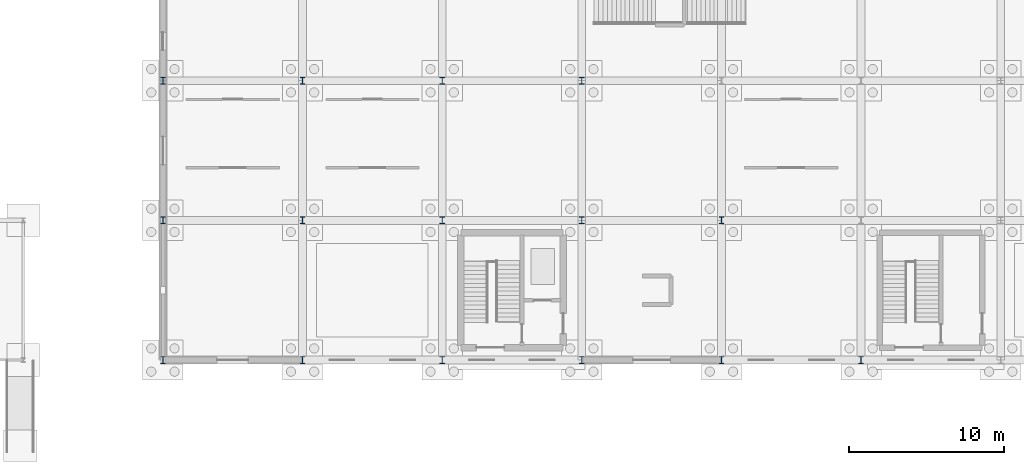
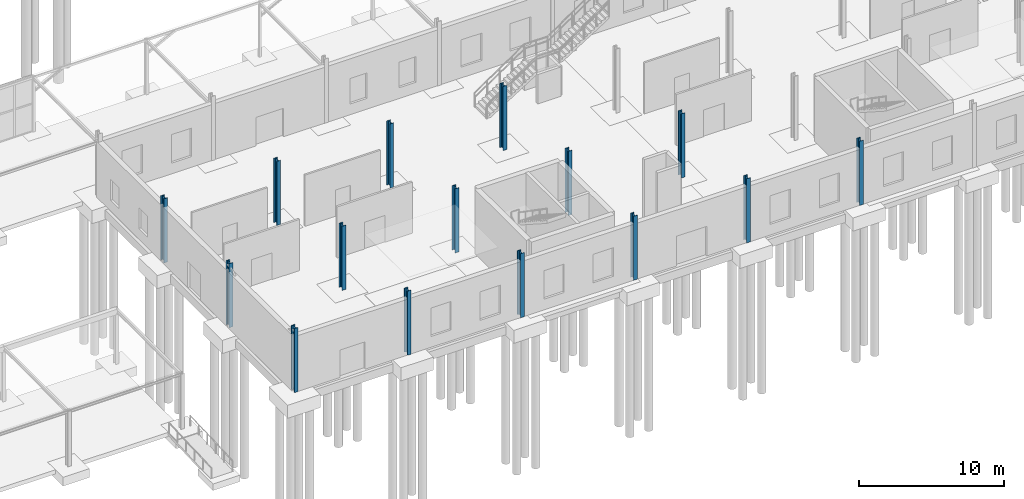
# One storey, part 31 of 118: 15 columns.
"""IFC4 building model written with IfcOpenShell, lengths in metres."""

from ifc_helpers import new_model, si_unit, direction, frame, origin, origin_2d, place, context, subcontext, project, spatial, i_section, extrude, material, material_profile, profile_set, type_object, element, save


model = new_model("IFC4")

# Units and contexts
model_context = context("Model", 3, precision=1e-05, world=origin(), true_north=direction((0.0, 1.0)))
body_context = subcontext(model_context, "Body", "Model", "MODEL_VIEW")
ifc_project = project(units=[si_unit("LENGTHUNIT", "METRE"), si_unit("AREAUNIT", "SQUARE_METRE"), si_unit("VOLUMEUNIT", "CUBIC_METRE"), si_unit("PLANEANGLEUNIT", "RADIAN"), si_unit("MASSUNIT", "GRAM", prefix="KILO")], contexts=[model_context])

# Site, building, storey
site_placement = place(None, origin())
site = spatial("IfcSite", under=ifc_project, at=site_placement, CompositionType="ELEMENT")
building_placement = place(site_placement, origin())
building = spatial("IfcBuilding", under=site, at=building_placement, Name="Kildeholm Park Wholesale Market", CompositionType="ELEMENT")
storey_placement = place(building_placement, origin())
storey = spatial("IfcBuildingStorey", under=building, at=storey_placement, Name="L00", CompositionType="ELEMENT", Elevation=0.0)

# Columns
ifc_material = material(Name="Steel S355", Category="steel")
ifc_material_profile = material_profile(ifc_material, i_section(OverallWidth=0.300048828125, OverallDepth=0.449951171875, WebThickness=0.013916015625, FlangeThickness=0.02587890625, FilletRadius=0.027099609375, at=origin_2d()), Name="HEB 450")
ifc_profile_set = profile_set([ifc_material_profile], Name="Steel S355")
column_type = type_object("IfcColumnType", Name="Column C-S06 HEB 450", PredefinedType="COLUMN", material=ifc_profile_set)
for number, where, z_axis, x_axis, name in (
    (1, (126.0, 0.0, 0.0), (0.0, 0.0, 1.0), (1.0, 0.0, 0.0), "Column V5E-126-000 L00 COL-0760"),
    (2, (126.0, 9.0, 0.0), (0.0, 0.0, 1.0), (1.0, 0.0, 0.0), "Column V5E-126-009 L00 COL-0763"),
    (3, (126.0, 18.0, 0.0), (0.0, 0.0, 1.0), (1.0, 0.0, 0.0), "Column V5E-126-018 L00 COL-0766"),
    (4, (135.0, 0.0, 0.0), (0.0, 0.0, 1.0), (1.0, 0.0, 0.0), "Column V5E-135-000 L00 COL-0771"),
    (5, (135.0, 9.0, 0.0), (0.0, 0.0, 1.0), (1.0, 0.0, 0.0), "Column V5E-135-009 L00 COL-0775"),
    (6, (135.0, 18.0, 0.0), (0.0, 0.0, 1.0), (1.0, 0.0, 0.0), "Column V5E-135-018 L00 COL-0779"),
    (7, (144.0, 0.0, 0.0), (0.0, 0.0, 1.0), (1.0, 0.0, 0.0), "Column V5E-144-000 L00 COL-0785"),
    (8, (144.0, 9.0, 0.0), (0.0, 0.0, 1.0), (1.0, 0.0, 0.0), "Column V5E-144-009 L00 COL-0789"),
    (9, (144.0, 18.0, 0.0), (0.0, 0.0, 1.0), (1.0, 0.0, 0.0), "Column V5E-144-018 L00 COL-0793"),
    (10, (153.0, 0.0, 0.0), (0.0, 0.0, 1.0), (1.0, 0.0, 0.0), "Column V5E-153-000 L00 COL-0799"),
    (11, (153.0, 9.0, 0.0), (0.0, 0.0, 1.0), (1.0, 0.0, 0.0), "Column V5E-153-009 L00 COL-0803"),
    (12, (153.0, 18.0, 0.0), (0.0, 0.0, 1.0), (1.0, 0.0, 0.0), "Column V5E-153-018 L00 COL-0807"),
    (13, (162.0, 0.0, 0.0), (0.0, 0.0, 1.0), (1.0, 0.0, 0.0), "Column V5E-162-000 L00 COL-0813"),
    (14, (162.0, 9.0, 0.0), (0.0, 0.0, 1.0), (1.0, 0.0, 0.0), "Column V5E-162-009 L00 COL-0817"),
    (15, (171.0, 0.0, 0.0), (0.0, 0.0, 1.0), (1.0, 0.0, 0.0), "Column V5E-171-000 L00 COL-0827"),
):
    element("IfcColumn", number, at=place(storey_placement, frame(where, z_axis=z_axis, x_axis=x_axis)), inside=storey, type_object=column_type, Name=name, PredefinedType="COLUMN", context=body_context, shape_type="SweptSolid", body=[
        extrude(i_section(OverallWidth=0.300048828125, OverallDepth=0.449951171875, WebThickness=0.013916015625, FlangeThickness=0.02587890625, FilletRadius=0.027099609375, at=origin_2d()), origin(), (0.0, 0.0, 1.0), 5.39990234375),
    ])

save(model, "model.ifc")
